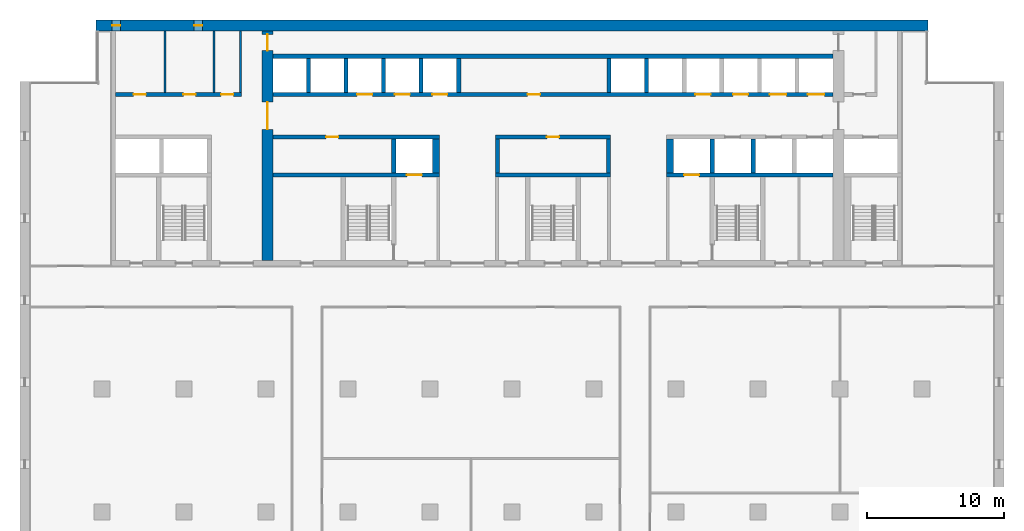
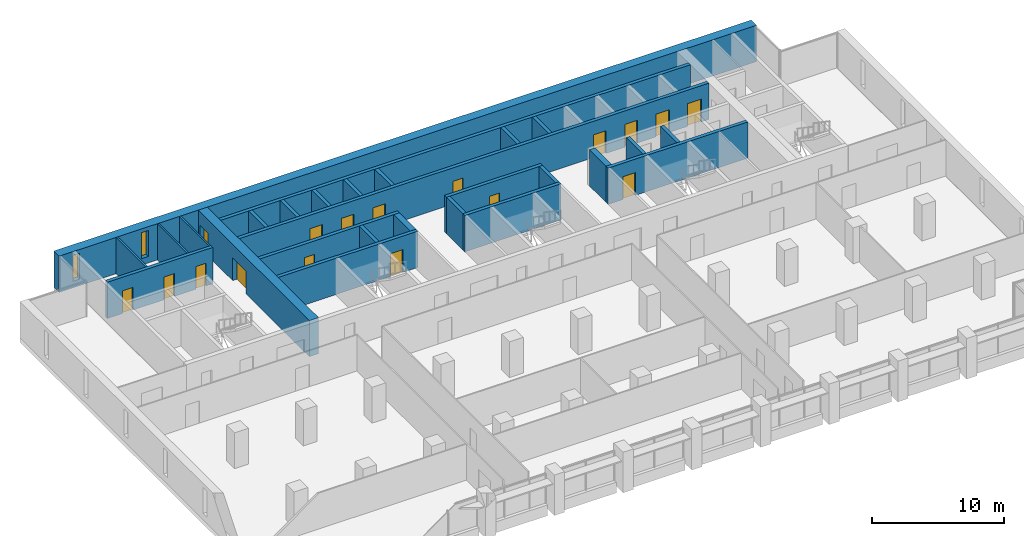
# One storey, part 10 of 15: 27 walls, 17 doors, 2 windows, 19 openings.
"""IFC4 building model written with IfcOpenShell, lengths in metres."""

from ifc_helpers import new_model, si_unit, direction, frame, frame_2d, origin, place, context, subcontext, project, spatial, rectangle, extrude, material, layer, layer_set, type_object, element, fill, save


model = new_model("IFC4")

# Units and contexts
model_context = context("Model", 3, precision=1e-05, world=origin(), true_north=direction((0.0, 1.0)))
body_context = subcontext(model_context, "Body", "Model", "MODEL_VIEW")
ifc_project = project(units=[si_unit("LENGTHUNIT", "METRE"), si_unit("AREAUNIT", "SQUARE_METRE"), si_unit("VOLUMEUNIT", "CUBIC_METRE"), si_unit("PLANEANGLEUNIT", "RADIAN"), si_unit("MASSUNIT", "GRAM", prefix="KILO")], contexts=[model_context])

# Site, building, storey
site_placement = place(None, origin())
site = spatial("IfcSite", under=ifc_project, at=site_placement, CompositionType="ELEMENT")
building_placement = place(site_placement, origin())
building = spatial("IfcBuilding", under=site, at=building_placement, Name="Calvaro Tower", CompositionType="ELEMENT")
storey_placement = place(building_placement, frame((0.0, 0.0, 147.5)))
storey = spatial("IfcBuildingStorey", under=building, at=storey_placement, Name="L37", CompositionType="ELEMENT", Elevation=147.5)

# Walls
ifc_material_1 = material(Name="Blockwork partition", Category="masonry")
ifc_layer_1 = layer(ifc_material_1, 0.14990234375)
ifc_layer_set_1 = layer_set([ifc_layer_1], Name="Blockwork partition")
wall_type_1 = type_object("IfcWallType", Name="Core partition 150 EI 60", PredefinedType="PARTITIONING", material=ifc_layer_set_1)
for number, where, z_axis, x_axis, name in (
    (1, (10.60009765625, 40.699951171875, 0.0), (0.0, 0.0, 1.0), (0.0, 1.0, 0.0), "Core partition"),
    (2, (14.199951171875, 40.699951171875, 0.0), (0.0, 0.0, 1.0), (0.0, 1.0, 0.0), "Core partition"),
):
    element("IfcWall", number, at=place(storey_placement, frame(where, z_axis=z_axis, x_axis=x_axis)), inside=storey, type_object=wall_type_1, Name=name, PredefinedType="PARTITIONING", context=body_context, shape_type="SweptSolid", body=[
        extrude(rectangle(XDim=4.5, YDim=0.14990234375, at=frame_2d((2.25, 0.0))), origin(), (0.0, 0.0, 1.0), 3.35009765625),
    ])
ifc_material_2 = material(Name="Blockwork partition", Category="masonry")
ifc_layer_2 = layer(ifc_material_2, 0.14990234375)
ifc_layer_set_2 = layer_set([ifc_layer_2], Name="Blockwork partition")
wall_type_2 = type_object("IfcWallType", Name="Core partition 150 REI 120", PredefinedType="PARTITIONING", material=ifc_layer_set_2)
wall_1_placement = place(storey_placement, frame((16.125, 40.699951171875, 0.0), z_axis=(0.0, 0.0, 1.0), x_axis=(0.0, 1.0, 0.0)))
element("IfcWall", 3, at=wall_1_placement, inside=storey, type_object=wall_type_2, Name="Core partition", PredefinedType="PARTITIONING", context=body_context, shape_type="SweptSolid", body=[
    extrude(rectangle(XDim=4.5, YDim=0.14990234375, at=frame_2d((2.25, 0.0))), origin(), (0.0, 0.0, 1.0), 3.35009765625),
])

# Wall, openings, doors
ifc_material_3 = material(Name="Blockwork partition", Category="masonry")
ifc_layer_3 = layer(ifc_material_3, 0.300048828125)
ifc_layer_set_3 = layer_set([ifc_layer_3], Name="Blockwork partition")
wall_type_3 = type_object("IfcWallType", Name="Core partition 300 REI 120", PredefinedType="PARTITIONING", material=ifc_layer_set_3)
wall_2_placement = place(storey_placement, frame((7.0, 40.550048828125, 0.0), z_axis=(0.0, 0.0, 1.0), x_axis=(1.0, 0.0, 0.0)))
wall_2 = element("IfcWall", 4, at=wall_2_placement, inside=storey, type_object=wall_type_3, Name="Core partition", PredefinedType="PARTITIONING", context=body_context, shape_type="SweptSolid", body=[
    extrude(rectangle(XDim=9.199951171875, YDim=0.300048828125, at=frame_2d((4.60009765625, 0.0))), origin(), (0.0, 0.0, 1.0), 3.35009765625),
])
opening_1_placement = place(wall_2_placement, frame((1.3125, 0.0, 0.0)))
opening_1 = element("IfcOpeningElement", 5, at=opening_1_placement, cuts=wall_2, Name="Opening RD9", PredefinedType="OPENING", context=body_context, shape_type="SweptSolid", body=[
    extrude(rectangle(XDim=0.89990234375, YDim=2.10009765625, at=frame_2d((0.449951171875, 1.050048828125))), frame((0.0, 0.159912109375, 0.0), z_axis=(0.0, -1.0, 0.0), x_axis=(1.0, 0.0, 0.0)), (0.0, 0.0, 1.0), 0.320068359375),
])
opening_2_placement = place(wall_2_placement, frame((4.949951171875, 0.0, 0.0)))
opening_2 = element("IfcOpeningElement", 6, at=opening_2_placement, cuts=wall_2, Name="Opening RD9", PredefinedType="OPENING", context=body_context, shape_type="SweptSolid", body=[
    extrude(rectangle(XDim=0.89990234375, YDim=2.10009765625, at=frame_2d((0.449951171875, 1.050048828125))), frame((0.0, 0.159912109375, 0.0), z_axis=(0.0, -1.0, 0.0), x_axis=(1.0, 0.0, 0.0)), (0.0, 0.0, 1.0), 0.320068359375),
])
opening_3_placement = place(wall_2_placement, frame((7.71240234375, 0.0, 0.0)))
opening_3 = element("IfcOpeningElement", 7, at=opening_3_placement, cuts=wall_2, Name="Opening RD9", PredefinedType="OPENING", context=body_context, shape_type="SweptSolid", body=[
    extrude(rectangle(XDim=0.89990234375, YDim=2.10009765625, at=frame_2d((0.449951171875, 1.050048828125))), frame((0.0, 0.159912109375, 0.0), z_axis=(0.0, -1.0, 0.0), x_axis=(1.0, 0.0, 0.0)), (0.0, 0.0, 1.0), 0.320068359375),
])
ifc_material_4 = material(Name="Steel door set", Category="steel")
door_type_1 = type_object("IfcDoorType", Name="Room door 900", OperationType="SINGLE_SWING_LEFT", PredefinedType="DOOR", material=ifc_material_4)
door_1_placement = place(opening_1_placement, origin())
door_1 = element("IfcDoor", 8, at=door_1_placement, inside=storey, type_object=door_type_1, Name="Room door", OperationType="SINGLE_SWING_LEFT", OverallHeight=2.10009765625, OverallWidth=0.89990234375, PredefinedType="DOOR", context=body_context, shape_type="SweptSolid", body=[
    extrude(rectangle(XDim=0.89990234375, YDim=2.10009765625, at=frame_2d((0.449951171875, 1.050048828125))), frame((0.0, 0.02490234375, 0.0), z_axis=(0.0, -1.0, 0.0), x_axis=(1.0, 0.0, 0.0)), (0.0, 0.0, 1.0), 0.050048828125),
])
fill(opening_1, door_1)
door_2_placement = place(opening_2_placement, origin())
door_2 = element("IfcDoor", 9, at=door_2_placement, inside=storey, type_object=door_type_1, Name="Room door", OperationType="SINGLE_SWING_LEFT", OverallHeight=2.10009765625, OverallWidth=0.89990234375, PredefinedType="DOOR", context=body_context, shape_type="SweptSolid", body=[
    extrude(rectangle(XDim=0.89990234375, YDim=2.10009765625, at=frame_2d((0.449951171875, 1.050048828125))), frame((0.0, 0.02490234375, 0.0), z_axis=(0.0, -1.0, 0.0), x_axis=(1.0, 0.0, 0.0)), (0.0, 0.0, 1.0), 0.050048828125),
])
fill(opening_2, door_2)
door_3_placement = place(opening_3_placement, origin())
door_3 = element("IfcDoor", 10, at=door_3_placement, inside=storey, type_object=door_type_1, Name="Room door", OperationType="SINGLE_SWING_LEFT", OverallHeight=2.10009765625, OverallWidth=0.89990234375, PredefinedType="DOOR", context=body_context, shape_type="SweptSolid", body=[
    extrude(rectangle(XDim=0.89990234375, YDim=2.10009765625, at=frame_2d((0.449951171875, 1.050048828125))), frame((0.0, 0.02490234375, 0.0), z_axis=(0.0, -1.0, 0.0), x_axis=(1.0, 0.0, 0.0)), (0.0, 0.0, 1.0), 0.050048828125),
])
fill(opening_3, door_3)

# Wall, opening, door
ifc_material_5 = material(Name="Concrete C60/75", Category="concrete")
ifc_layer_4 = layer(ifc_material_5, 0.300048828125)
ifc_layer_set_4 = layer_set([ifc_layer_4], Name="Concrete C60/75")
wall_type_4 = type_object("IfcWallType", Name="Core wall C60/75 300", PredefinedType="SHEAR", material=ifc_layer_set_4)
wall_3_placement = place(storey_placement, frame((18.5, 34.64990234375, 0.0), z_axis=(0.0, 0.0, 1.0), x_axis=(1.0, 0.0, 0.0)))
wall_3 = element("IfcWall", 11, at=wall_3_placement, inside=storey, type_object=wall_type_4, Name="Core wall, lift shaft", PredefinedType="SHEAR", context=body_context, shape_type="SweptSolid", body=[
    extrude(rectangle(XDim=12.199951171875, YDim=0.300048828125, at=frame_2d((6.10009765625, 0.0))), origin(), (0.0, 0.0, 1.0), 3.35009765625),
])
opening_4_placement = place(wall_3_placement, frame((9.800048828125, 0.0, 0.0)))
opening_4 = element("IfcOpeningElement", 12, at=opening_4_placement, cuts=wall_3, Name="Opening FF1", PredefinedType="OPENING", context=body_context, shape_type="SweptSolid", body=[
    extrude(rectangle(XDim=1.10009765625, YDim=2.10009765625, at=frame_2d((0.550048828125, 1.050048828125))), frame((0.0, 0.159912109375, 0.0), z_axis=(0.0, -1.0, 0.0), x_axis=(1.0, 0.0, 0.0)), (0.0, 0.0, 1.0), 0.320068359375),
])
ifc_material_6 = material(Name="Stainless steel", Category="steel")
door_type_2 = type_object("IfcDoorType", Name="Landing door 1100 E 60", OperationType="SLIDING_TO_LEFT", PredefinedType="DOOR", material=ifc_material_6)
door_4_placement = place(opening_4_placement, origin())
door_4 = element("IfcDoor", 13, at=door_4_placement, inside=storey, type_object=door_type_2, Name="Landing door FF1", OperationType="SLIDING_TO_LEFT", OverallHeight=2.10009765625, OverallWidth=1.10009765625, PredefinedType="DOOR", context=body_context, shape_type="SweptSolid", body=[
    extrude(rectangle(XDim=1.10009765625, YDim=2.10009765625, at=frame_2d((0.550048828125, 1.050048828125))), frame((0.0, 0.02490234375, 0.0), z_axis=(0.0, -1.0, 0.0), x_axis=(1.0, 0.0, 0.0)), (0.0, 0.0, 1.0), 0.050048828125),
])
fill(opening_4, door_4)

# Wall
wall_4_placement = place(storey_placement, frame((34.800048828125, 34.64990234375, 0.0), z_axis=(0.0, 0.0, 1.0), x_axis=(1.0, 0.0, 0.0)))
element("IfcWall", 14, at=wall_4_placement, inside=storey, type_object=wall_type_4, Name="Core wall, lift shaft", PredefinedType="SHEAR", context=body_context, shape_type="SweptSolid", body=[
    extrude(rectangle(XDim=8.39990234375, YDim=0.300048828125, at=frame_2d((4.199951171875, 0.0))), origin(), (0.0, 0.0, 1.0), 3.35009765625),
])

# Wall, opening, door
wall_5_placement = place(storey_placement, frame((47.300048828125, 34.64990234375, 0.0), z_axis=(0.0, 0.0, 1.0), x_axis=(1.0, 0.0, 0.0)))
wall_5 = element("IfcWall", 15, at=wall_5_placement, inside=storey, type_object=wall_type_4, Name="Core wall, lift shaft", PredefinedType="SHEAR", context=body_context, shape_type="SweptSolid", body=[
    extrude(rectangle(XDim=12.199951171875, YDim=0.300048828125, at=frame_2d((6.10009765625, 0.0))), origin(), (0.0, 0.0, 1.0), 3.35009765625),
])
opening_5_placement = place(wall_5_placement, frame((1.300048828125, 0.0, 0.0)))
opening_5 = element("IfcOpeningElement", 16, at=opening_5_placement, cuts=wall_5, Name="Opening FF2", PredefinedType="OPENING", context=body_context, shape_type="SweptSolid", body=[
    extrude(rectangle(XDim=1.10009765625, YDim=2.10009765625, at=frame_2d((0.550048828125, 1.050048828125))), frame((0.0, 0.159912109375, 0.0), z_axis=(0.0, -1.0, 0.0), x_axis=(1.0, 0.0, 0.0)), (0.0, 0.0, 1.0), 0.320068359375),
])
door_5_placement = place(opening_5_placement, origin())
door_5 = element("IfcDoor", 17, at=door_5_placement, inside=storey, type_object=door_type_2, Name="Landing door FF2", OperationType="SLIDING_TO_LEFT", OverallHeight=2.10009765625, OverallWidth=1.10009765625, PredefinedType="DOOR", context=body_context, shape_type="SweptSolid", body=[
    extrude(rectangle(XDim=1.10009765625, YDim=2.10009765625, at=frame_2d((0.550048828125, 1.050048828125))), frame((0.0, 0.02490234375, 0.0), z_axis=(0.0, -1.0, 0.0), x_axis=(1.0, 0.0, 0.0)), (0.0, 0.0, 1.0), 0.050048828125),
])
fill(opening_5, door_5)

wall_6_placement = place(storey_placement, frame((30.699951171875, 37.449951171875, 0.0), z_axis=(0.0, 0.0, 1.0), x_axis=(-1.0, 0.0, 0.0)))
wall_6 = element("IfcWall", 18, at=wall_6_placement, inside=storey, type_object=wall_type_4, Name="Core wall, bay", PredefinedType="SHEAR", context=body_context, shape_type="SweptSolid", body=[
    extrude(rectangle(XDim=12.199951171875, YDim=0.300048828125, at=frame_2d((6.10009765625, 0.0))), origin(), (0.0, 0.0, 1.0), 3.35009765625),
])
opening_6_placement = place(wall_6_placement, frame((7.39990234375, 0.0, 0.0)))
opening_6 = element("IfcOpeningElement", 19, at=opening_6_placement, cuts=wall_6, Name="Opening RD9E", PredefinedType="OPENING", context=body_context, shape_type="SweptSolid", body=[
    extrude(rectangle(XDim=0.89990234375, YDim=2.10009765625, at=frame_2d((0.449951171875, 1.050048828125))), frame((0.0, 0.159912109375, 0.0), z_axis=(0.0, -1.0, 0.0), x_axis=(1.0, 0.0, 0.0)), (0.0, 0.0, 1.0), 0.320068359375),
])
ifc_material_7 = material(Name="Steel door set", Category="steel")
door_type_3 = type_object("IfcDoorType", Name="Room door 900 FD60", OperationType="SINGLE_SWING_LEFT", PredefinedType="DOOR", material=ifc_material_7)
door_6_placement = place(opening_6_placement, origin())
door_6 = element("IfcDoor", 20, at=door_6_placement, inside=storey, type_object=door_type_3, Name="Room door", OperationType="SINGLE_SWING_LEFT", OverallHeight=2.10009765625, OverallWidth=0.89990234375, PredefinedType="DOOR", context=body_context, shape_type="SweptSolid", body=[
    extrude(rectangle(XDim=0.89990234375, YDim=2.10009765625, at=frame_2d((0.449951171875, 1.050048828125))), frame((0.0, 0.02490234375, 0.0), z_axis=(0.0, -1.0, 0.0), x_axis=(1.0, 0.0, 0.0)), (0.0, 0.0, 1.0), 0.050048828125),
])
fill(opening_6, door_6)

wall_7_placement = place(storey_placement, frame((43.199951171875, 37.449951171875, 0.0), z_axis=(0.0, 0.0, 1.0), x_axis=(-1.0, 0.0, 0.0)))
wall_7 = element("IfcWall", 21, at=wall_7_placement, inside=storey, type_object=wall_type_4, Name="Core wall, bay", PredefinedType="SHEAR", context=body_context, shape_type="SweptSolid", body=[
    extrude(rectangle(XDim=8.39990234375, YDim=0.300048828125, at=frame_2d((4.199951171875, 0.0))), origin(), (0.0, 0.0, 1.0), 3.35009765625),
])
opening_7_placement = place(wall_7_placement, frame((3.75, 0.0, 0.0)))
opening_7 = element("IfcOpeningElement", 22, at=opening_7_placement, cuts=wall_7, Name="Opening RD9E", PredefinedType="OPENING", context=body_context, shape_type="SweptSolid", body=[
    extrude(rectangle(XDim=0.89990234375, YDim=2.10009765625, at=frame_2d((0.449951171875, 1.050048828125))), frame((0.0, 0.159912109375, 0.0), z_axis=(0.0, -1.0, 0.0), x_axis=(1.0, 0.0, 0.0)), (0.0, 0.0, 1.0), 0.320068359375),
])
door_7_placement = place(opening_7_placement, origin())
door_7 = element("IfcDoor", 23, at=door_7_placement, inside=storey, type_object=door_type_3, Name="Room door", OperationType="SINGLE_SWING_RIGHT", OverallHeight=2.10009765625, OverallWidth=0.89990234375, PredefinedType="DOOR", context=body_context, shape_type="SweptSolid", body=[
    extrude(rectangle(XDim=0.89990234375, YDim=2.10009765625, at=frame_2d((0.449951171875, 1.050048828125))), frame((0.0, 0.02490234375, 0.0), z_axis=(0.0, -1.0, 0.0), x_axis=(1.0, 0.0, 0.0)), (0.0, 0.0, 1.0), 0.050048828125),
])
fill(opening_7, door_7)

# Walls
for number, where, z_axis, x_axis, name in (
    (24, (27.35009765625, 34.800048828125, 0.0), (0.0, 0.0, 1.0), (0.0, 1.0, 0.0), "Core wall, lift shaft"),
    (25, (34.949951171875, 34.800048828125, 0.0), (0.0, 0.0, 1.0), (0.0, 1.0, 0.0), "Core wall, lift shaft"),
    (26, (43.050048828125, 34.800048828125, 0.0), (0.0, 0.0, 1.0), (0.0, 1.0, 0.0), "Core wall, lift shaft"),
    (27, (50.64990234375, 34.800048828125, 0.0), (0.0, 0.0, 1.0), (0.0, 1.0, 0.0), "Core wall, lift shaft"),
):
    element("IfcWall", number, at=place(storey_placement, frame(where, z_axis=z_axis, x_axis=x_axis)), inside=storey, type_object=wall_type_4, Name=name, PredefinedType="SHEAR", context=body_context, shape_type="SweptSolid", body=[
        extrude(rectangle(XDim=2.5, YDim=0.300048828125, at=frame_2d((1.25, 0.0))), origin(), (0.0, 0.0, 1.0), 3.35009765625),
    ])

# Wall, openings, doors
wall_8_placement = place(storey_placement, frame((18.5, 40.550048828125, 0.0), z_axis=(0.0, 0.0, 1.0), x_axis=(1.0, 0.0, 0.0)))
wall_8 = element("IfcWall", 28, at=wall_8_placement, inside=storey, type_object=wall_type_4, Name="Core wall, bay", PredefinedType="SHEAR", context=body_context, shape_type="SweptSolid", body=[
    extrude(rectangle(XDim=41.0, YDim=0.300048828125, at=frame_2d((20.5, 0.0))), origin(), (0.0, 0.0, 1.0), 3.35009765625),
])
opening_8_placement = place(wall_8_placement, frame((18.64990234375, 0.0, 0.0)))
opening_8 = element("IfcOpeningElement", 29, at=opening_8_placement, cuts=wall_8, Name="Opening RD9E", PredefinedType="OPENING", context=body_context, shape_type="SweptSolid", body=[
    extrude(rectangle(XDim=0.89990234375, YDim=2.10009765625, at=frame_2d((0.449951171875, 1.050048828125))), frame((0.0, 0.159912109375, 0.0), z_axis=(0.0, -1.0, 0.0), x_axis=(1.0, 0.0, 0.0)), (0.0, 0.0, 1.0), 0.320068359375),
])
opening_9_placement = place(wall_8_placement, frame((6.175048828125, 0.0, 0.0)))
opening_9 = element("IfcOpeningElement", 30, at=opening_9_placement, cuts=wall_8, Name="Opening MR4", PredefinedType="OPENING", context=body_context, shape_type="SweptSolid", body=[
    extrude(rectangle(XDim=1.10009765625, YDim=2.10009765625, at=frame_2d((0.550048828125, 1.050048828125))), frame((0.0, 0.159912109375, 0.0), z_axis=(0.0, -1.0, 0.0), x_axis=(1.0, 0.0, 0.0)), (0.0, 0.0, 1.0), 0.320068359375),
])
opening_10_placement = place(wall_8_placement, frame((8.925048828125, 0.0, 0.0)))
opening_10 = element("IfcOpeningElement", 31, at=opening_10_placement, cuts=wall_8, Name="Opening MR5", PredefinedType="OPENING", context=body_context, shape_type="SweptSolid", body=[
    extrude(rectangle(XDim=1.10009765625, YDim=2.10009765625, at=frame_2d((0.550048828125, 1.050048828125))), frame((0.0, 0.159912109375, 0.0), z_axis=(0.0, -1.0, 0.0), x_axis=(1.0, 0.0, 0.0)), (0.0, 0.0, 1.0), 0.320068359375),
])
opening_11_placement = place(wall_8_placement, frame((11.675048828125, 0.0, 0.0)))
opening_11 = element("IfcOpeningElement", 32, at=opening_11_placement, cuts=wall_8, Name="Opening MR6", PredefinedType="OPENING", context=body_context, shape_type="SweptSolid", body=[
    extrude(rectangle(XDim=1.10009765625, YDim=2.10009765625, at=frame_2d((0.550048828125, 1.050048828125))), frame((0.0, 0.159912109375, 0.0), z_axis=(0.0, -1.0, 0.0), x_axis=(1.0, 0.0, 0.0)), (0.0, 0.0, 1.0), 0.320068359375),
])
opening_12_placement = place(wall_8_placement, frame((30.925048828125, 0.0, 0.0)))
opening_12 = element("IfcOpeningElement", 33, at=opening_12_placement, cuts=wall_8, Name="Opening MR7", PredefinedType="OPENING", context=body_context, shape_type="SweptSolid", body=[
    extrude(rectangle(XDim=1.10009765625, YDim=2.10009765625, at=frame_2d((0.550048828125, 1.050048828125))), frame((0.0, 0.159912109375, 0.0), z_axis=(0.0, -1.0, 0.0), x_axis=(1.0, 0.0, 0.0)), (0.0, 0.0, 1.0), 0.320068359375),
])
opening_13_placement = place(wall_8_placement, frame((33.675048828125, 0.0, 0.0)))
opening_13 = element("IfcOpeningElement", 34, at=opening_13_placement, cuts=wall_8, Name="Opening MR8", PredefinedType="OPENING", context=body_context, shape_type="SweptSolid", body=[
    extrude(rectangle(XDim=1.10009765625, YDim=2.10009765625, at=frame_2d((0.550048828125, 1.050048828125))), frame((0.0, 0.159912109375, 0.0), z_axis=(0.0, -1.0, 0.0), x_axis=(1.0, 0.0, 0.0)), (0.0, 0.0, 1.0), 0.320068359375),
])
opening_14_placement = place(wall_8_placement, frame((36.375, 0.0, 0.0)))
opening_14 = element("IfcOpeningElement", 35, at=opening_14_placement, cuts=wall_8, Name="Opening SV1", PredefinedType="OPENING", context=body_context, shape_type="SweptSolid", body=[
    extrude(rectangle(XDim=1.199951171875, YDim=2.10009765625, at=frame_2d((0.60009765625, 1.050048828125))), frame((0.0, 0.159912109375, 0.0), z_axis=(0.0, -1.0, 0.0), x_axis=(1.0, 0.0, 0.0)), (0.0, 0.0, 1.0), 0.320068359375),
])
opening_15_placement = place(wall_8_placement, frame((39.14990234375, 0.0, 0.0)))
opening_15 = element("IfcOpeningElement", 36, at=opening_15_placement, cuts=wall_8, Name="Opening SV2", PredefinedType="OPENING", context=body_context, shape_type="SweptSolid", body=[
    extrude(rectangle(XDim=1.199951171875, YDim=2.10009765625, at=frame_2d((0.60009765625, 1.050048828125))), frame((0.0, 0.159912109375, 0.0), z_axis=(0.0, -1.0, 0.0), x_axis=(1.0, 0.0, 0.0)), (0.0, 0.0, 1.0), 0.320068359375),
])
door_8_placement = place(opening_9_placement, origin())
door_8 = element("IfcDoor", 37, at=door_8_placement, inside=storey, type_object=door_type_2, Name="Landing door MR4", OperationType="SLIDING_TO_LEFT", OverallHeight=2.10009765625, OverallWidth=1.10009765625, PredefinedType="DOOR", context=body_context, shape_type="SweptSolid", body=[
    extrude(rectangle(XDim=1.10009765625, YDim=2.10009765625, at=frame_2d((0.550048828125, 1.050048828125))), frame((0.0, 0.02490234375, 0.0), z_axis=(0.0, -1.0, 0.0), x_axis=(1.0, 0.0, 0.0)), (0.0, 0.0, 1.0), 0.050048828125),
])
fill(opening_9, door_8)
door_9_placement = place(opening_10_placement, origin())
door_9 = element("IfcDoor", 38, at=door_9_placement, inside=storey, type_object=door_type_2, Name="Landing door MR5", OperationType="SLIDING_TO_LEFT", OverallHeight=2.10009765625, OverallWidth=1.10009765625, PredefinedType="DOOR", context=body_context, shape_type="SweptSolid", body=[
    extrude(rectangle(XDim=1.10009765625, YDim=2.10009765625, at=frame_2d((0.550048828125, 1.050048828125))), frame((0.0, 0.02490234375, 0.0), z_axis=(0.0, -1.0, 0.0), x_axis=(1.0, 0.0, 0.0)), (0.0, 0.0, 1.0), 0.050048828125),
])
fill(opening_10, door_9)
door_10_placement = place(opening_11_placement, origin())
door_10 = element("IfcDoor", 39, at=door_10_placement, inside=storey, type_object=door_type_2, Name="Landing door MR6", OperationType="SLIDING_TO_LEFT", OverallHeight=2.10009765625, OverallWidth=1.10009765625, PredefinedType="DOOR", context=body_context, shape_type="SweptSolid", body=[
    extrude(rectangle(XDim=1.10009765625, YDim=2.10009765625, at=frame_2d((0.550048828125, 1.050048828125))), frame((0.0, 0.02490234375, 0.0), z_axis=(0.0, -1.0, 0.0), x_axis=(1.0, 0.0, 0.0)), (0.0, 0.0, 1.0), 0.050048828125),
])
fill(opening_11, door_10)
door_11_placement = place(opening_12_placement, origin())
door_11 = element("IfcDoor", 40, at=door_11_placement, inside=storey, type_object=door_type_2, Name="Landing door MR7", OperationType="SLIDING_TO_LEFT", OverallHeight=2.10009765625, OverallWidth=1.10009765625, PredefinedType="DOOR", context=body_context, shape_type="SweptSolid", body=[
    extrude(rectangle(XDim=1.10009765625, YDim=2.10009765625, at=frame_2d((0.550048828125, 1.050048828125))), frame((0.0, 0.02490234375, 0.0), z_axis=(0.0, -1.0, 0.0), x_axis=(1.0, 0.0, 0.0)), (0.0, 0.0, 1.0), 0.050048828125),
])
fill(opening_12, door_11)
door_12_placement = place(opening_13_placement, origin())
door_12 = element("IfcDoor", 41, at=door_12_placement, inside=storey, type_object=door_type_2, Name="Landing door MR8", OperationType="SLIDING_TO_LEFT", OverallHeight=2.10009765625, OverallWidth=1.10009765625, PredefinedType="DOOR", context=body_context, shape_type="SweptSolid", body=[
    extrude(rectangle(XDim=1.10009765625, YDim=2.10009765625, at=frame_2d((0.550048828125, 1.050048828125))), frame((0.0, 0.02490234375, 0.0), z_axis=(0.0, -1.0, 0.0), x_axis=(1.0, 0.0, 0.0)), (0.0, 0.0, 1.0), 0.050048828125),
])
fill(opening_13, door_12)
ifc_material_8 = material(Name="Stainless steel", Category="steel")
door_type_4 = type_object("IfcDoorType", Name="Landing door 1200 E 60", OperationType="SLIDING_TO_LEFT", PredefinedType="DOOR", material=ifc_material_8)
door_13_placement = place(opening_14_placement, origin())
door_13 = element("IfcDoor", 42, at=door_13_placement, inside=storey, type_object=door_type_4, Name="Landing door SV1", OperationType="SLIDING_TO_LEFT", OverallHeight=2.10009765625, OverallWidth=1.199951171875, PredefinedType="DOOR", context=body_context, shape_type="SweptSolid", body=[
    extrude(rectangle(XDim=1.199951171875, YDim=2.10009765625, at=frame_2d((0.60009765625, 1.050048828125))), frame((0.0, 0.02490234375, 0.0), z_axis=(0.0, -1.0, 0.0), x_axis=(1.0, 0.0, 0.0)), (0.0, 0.0, 1.0), 0.050048828125),
])
fill(opening_14, door_13)
door_14_placement = place(opening_15_placement, origin())
door_14 = element("IfcDoor", 43, at=door_14_placement, inside=storey, type_object=door_type_4, Name="Landing door SV2", OperationType="SLIDING_TO_LEFT", OverallHeight=2.10009765625, OverallWidth=1.199951171875, PredefinedType="DOOR", context=body_context, shape_type="SweptSolid", body=[
    extrude(rectangle(XDim=1.199951171875, YDim=2.10009765625, at=frame_2d((0.60009765625, 1.050048828125))), frame((0.0, 0.02490234375, 0.0), z_axis=(0.0, -1.0, 0.0), x_axis=(1.0, 0.0, 0.0)), (0.0, 0.0, 1.0), 0.050048828125),
])
fill(opening_15, door_14)
door_15_placement = place(opening_8_placement, origin())
door_15 = element("IfcDoor", 44, at=door_15_placement, inside=storey, type_object=door_type_3, Name="Room door", OperationType="SINGLE_SWING_LEFT", OverallHeight=2.10009765625, OverallWidth=0.89990234375, PredefinedType="DOOR", context=body_context, shape_type="SweptSolid", body=[
    extrude(rectangle(XDim=0.89990234375, YDim=2.10009765625, at=frame_2d((0.449951171875, 1.050048828125))), frame((0.0, 0.02490234375, 0.0), z_axis=(0.0, -1.0, 0.0), x_axis=(1.0, 0.0, 0.0)), (0.0, 0.0, 1.0), 0.050048828125),
])
fill(opening_8, door_15)

# Walls
wall_9_placement = place(storey_placement, frame((18.5, 43.35009765625, 0.0), z_axis=(0.0, 0.0, 1.0), x_axis=(1.0, 0.0, 0.0)))
element("IfcWall", 45, at=wall_9_placement, inside=storey, type_object=wall_type_4, Name="Core wall, lift shaft", PredefinedType="SHEAR", context=body_context, shape_type="SweptSolid", body=[
    extrude(rectangle(XDim=41.0, YDim=0.300048828125, at=frame_2d((20.5, 0.0))), origin(), (0.0, 0.0, 1.0), 3.35009765625),
])
for number, where, z_axis, x_axis, name in (
    (46, (53.64990234375, 34.800048828125, 0.0), (0.0, 0.0, 1.0), (0.0, 1.0, 0.0), "Core wall, lift shaft"),
    (47, (21.10009765625, 40.699951171875, 0.0), (0.0, 0.0, 1.0), (0.0, 1.0, 0.0), "Core wall, lift shaft"),
    (48, (23.85009765625, 40.699951171875, 0.0), (0.0, 0.0, 1.0), (0.0, 1.0, 0.0), "Core wall, lift shaft"),
    (49, (26.60009765625, 40.699951171875, 0.0), (0.0, 0.0, 1.0), (0.0, 1.0, 0.0), "Core wall, lift shaft"),
    (50, (29.35009765625, 40.699951171875, 0.0), (0.0, 0.0, 1.0), (0.0, 1.0, 0.0), "Core wall, lift shaft"),
    (51, (32.10009765625, 40.699951171875, 0.0), (0.0, 0.0, 1.0), (0.0, 1.0, 0.0), "Core wall, lift shaft"),
    (52, (43.10009765625, 40.699951171875, 0.0), (0.0, 0.0, 1.0), (0.0, 1.0, 0.0), "Core wall, lift shaft"),
    (53, (45.85009765625, 40.699951171875, 0.0), (0.0, 0.0, 1.0), (0.0, 1.0, 0.0), "Core wall, lift shaft"),
):
    element("IfcWall", number, at=place(storey_placement, frame(where, z_axis=z_axis, x_axis=x_axis)), inside=storey, type_object=wall_type_4, Name=name, PredefinedType="SHEAR", context=body_context, shape_type="SweptSolid", body=[
        extrude(rectangle(XDim=2.5, YDim=0.300048828125, at=frame_2d((1.25, 0.0))), origin(), (0.0, 0.0, 1.0), 3.35009765625),
    ])
ifc_material_9 = material(Name="Concrete C60/75", Category="concrete")
ifc_layer_5 = layer(ifc_material_9, 0.5)
ifc_layer_set_5 = layer_set([ifc_layer_5], Name="Concrete C60/75")
wall_type_5 = type_object("IfcWallType", Name="Core wall C60/75 500", PredefinedType="SHEAR", material=ifc_layer_set_5)
for number, where, z_axis, x_axis, name in (
    (54, (30.449951171875, 34.800048828125, 0.0), (0.0, 0.0, 1.0), (0.0, 1.0, 0.0), "Core wall, lift shaft"),
    (55, (47.550048828125, 34.800048828125, 0.0), (0.0, 0.0, 1.0), (0.0, 1.0, 0.0), "Core wall, lift shaft"),
):
    element("IfcWall", number, at=place(storey_placement, frame(where, z_axis=z_axis, x_axis=x_axis)), inside=storey, type_object=wall_type_5, Name=name, PredefinedType="SHEAR", context=body_context, shape_type="SweptSolid", body=[
        extrude(rectangle(XDim=2.5, YDim=0.5, at=frame_2d((1.25, 0.0))), origin(), (0.0, 0.0, 1.0), 3.35009765625),
    ])

# Wall, openings, doors
ifc_material_10 = material(Name="Concrete C60/75", Category="concrete")
ifc_layer_6 = layer(ifc_material_10, 0.800048828125)
ifc_layer_set_6 = layer_set([ifc_layer_6], Name="Concrete C60/75")
wall_type_6 = type_object("IfcWallType", Name="Core wall C60/75 800", PredefinedType="SHEAR", material=ifc_layer_set_6)
wall_10_placement = place(storey_placement, frame((18.10009765625, 28.39990234375, 0.0), z_axis=(0.0, 0.0, 1.0), x_axis=(0.0, 1.0, 0.0)))
wall_10 = element("IfcWall", 56, at=wall_10_placement, inside=storey, type_object=wall_type_6, Name="Core wall, cross shear wall", PredefinedType="SHEAR", context=body_context, shape_type="SweptSolid", body=[
    extrude(rectangle(XDim=16.800048828125, YDim=0.800048828125, at=frame_2d((8.39990234375, 0.0))), origin(), (0.0, 0.0, 1.0), 3.35009765625),
])
opening_16_placement = place(wall_10_placement, frame((9.60009765625, 0.0, 0.0)))
opening_16 = element("IfcOpeningElement", 57, at=opening_16_placement, cuts=wall_10, Name="Opening DD20D", PredefinedType="OPENING", context=body_context, shape_type="SweptSolid", body=[
    extrude(rectangle(XDim=2.0, YDim=2.10009765625, at=frame_2d((1.0, 1.050048828125))), frame((0.0, 0.409912109375, 0.0), z_axis=(0.0, -1.0, 0.0), x_axis=(1.0, 0.0, 0.0)), (0.0, 0.0, 1.0), 0.820068359375),
])
opening_17_placement = place(wall_10_placement, frame((15.35009765625, 0.0, 0.0)))
opening_17 = element("IfcOpeningElement", 58, at=opening_17_placement, cuts=wall_10, Name="Opening FD12C", PredefinedType="OPENING", context=body_context, shape_type="SweptSolid", body=[
    extrude(rectangle(XDim=1.199951171875, YDim=2.10009765625, at=frame_2d((0.60009765625, 1.050048828125))), frame((0.0, 0.409912109375, 0.0), z_axis=(0.0, -1.0, 0.0), x_axis=(1.0, 0.0, 0.0)), (0.0, 0.0, 1.0), 0.820068359375),
])
ifc_material_11 = material(Name="Steel door set", Category="steel")
door_type_5 = type_object("IfcDoorType", Name="Fire door 1200 FD30", OperationType="SINGLE_SWING_LEFT", PredefinedType="DOOR", material=ifc_material_11)
door_16_placement = place(opening_17_placement, origin())
door_16 = element("IfcDoor", 59, at=door_16_placement, inside=storey, type_object=door_type_5, Name="Fire door", OperationType="SINGLE_SWING_LEFT", OverallHeight=2.10009765625, OverallWidth=1.199951171875, PredefinedType="DOOR", context=body_context, shape_type="SweptSolid", body=[
    extrude(rectangle(XDim=1.199951171875, YDim=2.10009765625, at=frame_2d((0.60009765625, 1.050048828125))), frame((0.0, 0.02490234375, 0.0), z_axis=(0.0, -1.0, 0.0), x_axis=(1.0, 0.0, 0.0)), (0.0, 0.0, 1.0), 0.050048828125),
])
fill(opening_17, door_16)
ifc_material_12 = material(Name="Steel door set", Category="steel")
door_type_6 = type_object("IfcDoorType", Name="Lobby double door 2000 FD30S", OperationType="DOUBLE_DOOR_SINGLE_SWING", PredefinedType="DOOR", material=ifc_material_12)
door_17_placement = place(opening_16_placement, origin())
door_17 = element("IfcDoor", 60, at=door_17_placement, inside=storey, type_object=door_type_6, Name="Lobby double door", OperationType="DOUBLE_DOOR_SINGLE_SWING", OverallHeight=2.10009765625, OverallWidth=2.0, PredefinedType="DOOR", context=body_context, shape_type="SweptSolid", body=[
    extrude(rectangle(XDim=2.0, YDim=2.10009765625, at=frame_2d((1.0, 1.050048828125))), frame((0.0, 0.02490234375, 0.0), z_axis=(0.0, -1.0, 0.0), x_axis=(1.0, 0.0, 0.0)), (0.0, 0.0, 1.0), 0.050048828125),
])
fill(opening_16, door_17)

# Wall, openings, windows
ifc_material_13 = material(Name="Concrete C60/75", Category="concrete")
ifc_layer_7 = layer(ifc_material_13, 0.800048828125)
ifc_layer_set_7 = layer_set([ifc_layer_7], Name="Concrete C60/75")
wall_type_7 = type_object("IfcWallType", Name="Rear core wall 800 C60/75", PredefinedType="SHEAR", material=ifc_layer_set_7)
wall_11_placement = place(storey_placement, frame((5.550048828125, 45.60009765625, 0.0), z_axis=(0.0, 0.0, 1.0), x_axis=(1.0, 0.0, 0.0)))
wall_11 = element("IfcWall", 61, at=wall_11_placement, inside=storey, type_object=wall_type_7, Name="North core wall", PredefinedType="SHEAR", context=body_context, shape_type="SweptSolid", body=[
    extrude(rectangle(XDim=60.89990234375, YDim=0.800048828125, at=frame_2d((30.449951171875, 0.0))), origin(), (0.0, 0.0, 1.0), 3.35009765625),
])
opening_18_placement = place(wall_11_placement, frame((1.199951171875, 0.0, 0.60009765625)))
opening_18 = element("IfcOpeningElement", 62, at=opening_18_placement, cuts=wall_11, Name="Opening WN01", PredefinedType="OPENING", context=body_context, shape_type="SweptSolid", body=[
    extrude(rectangle(XDim=0.60009765625, YDim=2.39990234375, at=frame_2d((0.300048828125, 1.199951171875))), frame((0.0, 0.409912109375, 0.0), z_axis=(0.0, -1.0, 0.0), x_axis=(1.0, 0.0, 0.0)), (0.0, 0.0, 1.0), 0.820068359375),
])
opening_19_placement = place(wall_11_placement, frame((7.199951171875, 0.0, 0.60009765625)))
opening_19 = element("IfcOpeningElement", 63, at=opening_19_placement, cuts=wall_11, Name="Opening WN02", PredefinedType="OPENING", context=body_context, shape_type="SweptSolid", body=[
    extrude(rectangle(XDim=0.60009765625, YDim=2.39990234375, at=frame_2d((0.300048828125, 1.199951171875))), frame((0.0, 0.409912109375, 0.0), z_axis=(0.0, -1.0, 0.0), x_axis=(1.0, 0.0, 0.0)), (0.0, 0.0, 1.0), 0.820068359375),
])
ifc_material_14 = material(Name="Glass", Category="glass")
window_type = type_object("IfcWindowType", Name="Slit window 600 x 2400", PartitioningType="SINGLE_PANEL", PredefinedType="WINDOW", material=ifc_material_14)
window_1_placement = place(opening_18_placement, origin())
window_1 = element("IfcWindow", 64, at=window_1_placement, inside=storey, type_object=window_type, Name="Window WN01", OverallHeight=2.39990234375, OverallWidth=0.60009765625, PartitioningType="SINGLE_PANEL", PredefinedType="WINDOW", context=body_context, shape_type="SweptSolid", body=[
    extrude(rectangle(XDim=0.60009765625, YDim=2.39990234375, at=frame_2d((0.300048828125, 1.199951171875))), frame((0.0, 0.030029296875, 0.0), z_axis=(0.0, -1.0, 0.0), x_axis=(1.0, 0.0, 0.0)), (0.0, 0.0, 1.0), 0.06005859375),
])
fill(opening_18, window_1)
window_2_placement = place(opening_19_placement, origin())
window_2 = element("IfcWindow", 65, at=window_2_placement, inside=storey, type_object=window_type, Name="Window WN02", OverallHeight=2.39990234375, OverallWidth=0.60009765625, PartitioningType="SINGLE_PANEL", PredefinedType="WINDOW", context=body_context, shape_type="SweptSolid", body=[
    extrude(rectangle(XDim=0.60009765625, YDim=2.39990234375, at=frame_2d((0.300048828125, 1.199951171875))), frame((0.0, 0.030029296875, 0.0), z_axis=(0.0, -1.0, 0.0), x_axis=(1.0, 0.0, 0.0)), (0.0, 0.0, 1.0), 0.06005859375),
])
fill(opening_19, window_2)

save(model, "model.ifc")
